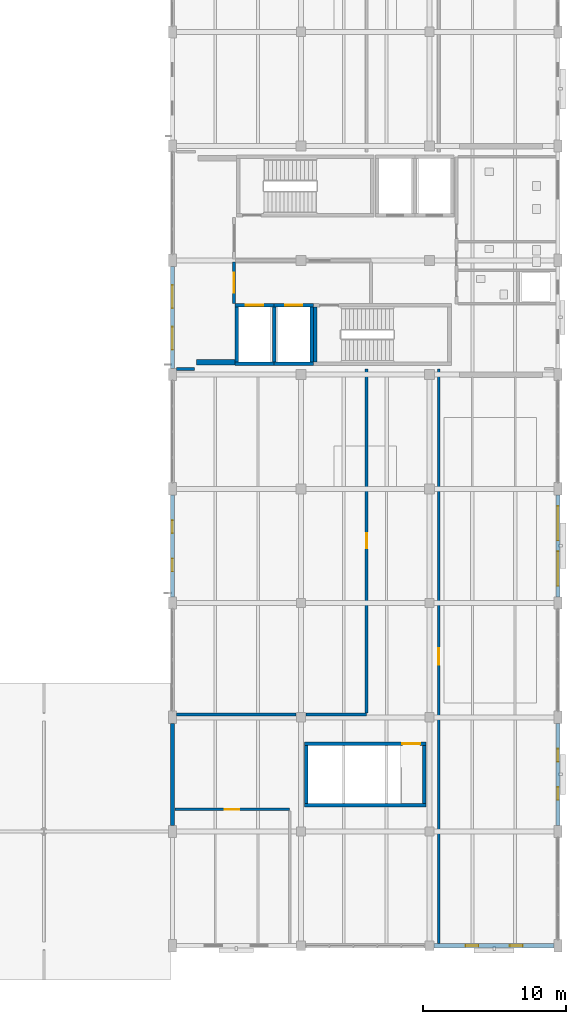
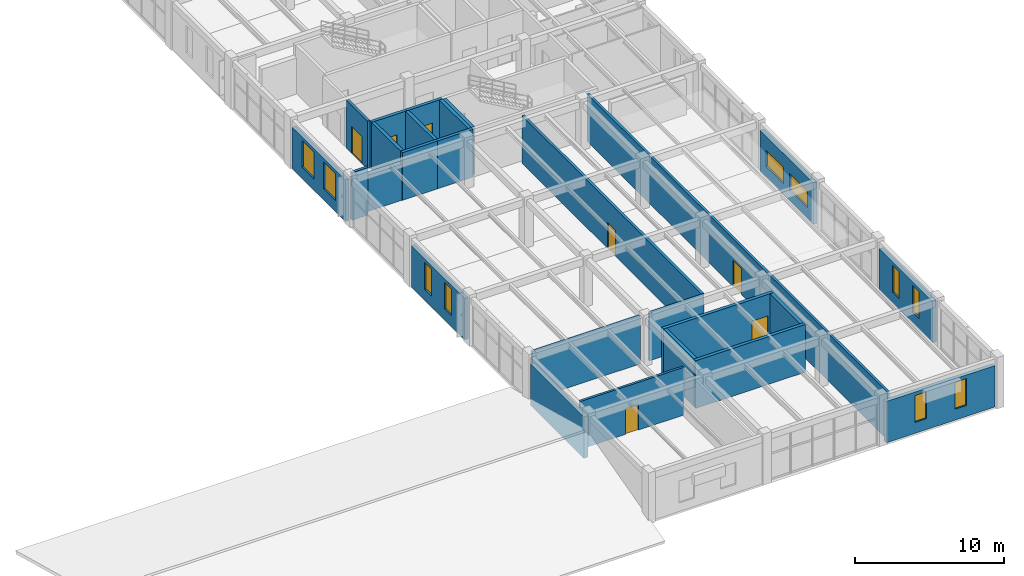
# One storey, part 58 of 71: 26 walls, 10 windows, 7 doors, 17 openings.
"""IFC4 building model written with IfcOpenShell, lengths in metres."""

import ifcopenshell
import ifcopenshell.guid

model = None  # the IFC model being written
_history = None  # IfcOwnerHistory: only IFC2X3 demands one
_inside = {}  # id of a spatial element -> (the spatial element, [elements in it])
_under = {}  # id of a project, library or spatial element -> (it, [spatial elements below it])
_declared = {}  # id of a project -> (the project, [libraries it declares])
_typed = {}  # id of a type object -> (the type object, [elements of that type])
_made_of = {}  # id of a material, layer set ... -> (it, [elements and type objects made of it])


def new_model(schema):
    """Start an empty IFC model of exactly this schema.

    Asked for "IFC4X3", IfcOpenShell would pick the latest addendum, in which some entities
    have other attributes; the version numbers below select the first issue.
    IFC2X3 requires an IfcOwnerHistory on every rooted entity: one is made here for all.
    """
    global model, _history
    if schema == "IFC4X3":
        model = ifcopenshell.file(schema_version=(4, 3, 0, 0))
    else:
        model = ifcopenshell.file(schema=schema)
    _inside.clear()
    _under.clear()
    _declared.clear()
    _typed.clear()
    _made_of.clear()
    _history = None
    if model.schema == "IFC2X3":
        org = make("IfcOrganization", Name="unknown")
        user = make(
            "IfcPersonAndOrganization",
            ThePerson=make("IfcPerson", FamilyName="unknown"),
            TheOrganization=org,
        )
        app = make(
            "IfcApplication",
            ApplicationDeveloper=org,
            Version="unknown",
            ApplicationFullName="unknown",
            ApplicationIdentifier="unknown",
        )
        _history = make(
            "IfcOwnerHistory",
            OwningUser=user,
            OwningApplication=app,
            ChangeAction="ADDED",
            CreationDate=0,
        )
    return model


def make(cls, **values):
    """One entity of the class cls with the attributes given. An attribute that is None is left unset."""
    return model.create_entity(
        cls, **{name: value for name, value in values.items() if value is not None}
    )


def rooted(cls, **values):
    """An entity with a GlobalId (a new one), such as an element, a storey or a relation."""
    return make(cls, GlobalId=ifcopenshell.guid.new(), OwnerHistory=_history, **values)


def si_unit(unit_type, name, prefix=None):
    """IfcSIUnit, for example si_unit("LENGTHUNIT", "METRE", prefix="MILLI")."""
    return make("IfcSIUnit", UnitType=unit_type, Prefix=prefix, Name=name)


def derived_unit(unit_type, elements):
    """IfcDerivedUnit: a product of units, each with its exponent."""
    return make(
        "IfcDerivedUnit",
        Elements=[
            make("IfcDerivedUnitElement", Unit=unit, Exponent=power)
            for unit, power in elements
        ],
        UnitType=unit_type,
    )


def assignment(units):
    """IfcUnitAssignment: the units of a project."""
    return None if units is None else make("IfcUnitAssignment", Units=units)


def point(xyz):
    """IfcCartesianPoint."""
    return None if xyz is None else make("IfcCartesianPoint", Coordinates=xyz)


def direction(xyz):
    """IfcDirection."""
    return None if xyz is None else make("IfcDirection", DirectionRatios=xyz)


def frame(location, z_axis=None, x_axis=None):
    """IfcAxis2Placement3D, a coordinate frame: its origin and axes. An axis left out is left unset."""
    return make(
        "IfcAxis2Placement3D",
        Location=point(location),
        Axis=direction(z_axis),
        RefDirection=direction(x_axis),
    )


def frame_2d(location, x_axis=None):
    """IfcAxis2Placement2D, a coordinate frame in the plane: its origin and x axis."""
    return make(
        "IfcAxis2Placement2D", Location=point(location), RefDirection=direction(x_axis)
    )


def origin():
    """The frame at (0, 0, 0) with its axes left unset."""
    return frame((0.0, 0.0, 0.0))


def place(relative_to, where):
    """IfcLocalPlacement: puts the frame where relative to a parent placement (None: the world)."""
    return make(
        "IfcLocalPlacement", PlacementRelTo=relative_to, RelativePlacement=where
    )


def context(
    kind, dimensions, precision=None, world=None, true_north=None, identifier=None
):
    """IfcGeometricRepresentationContext, for example the 3D "Model" context."""
    return make(
        "IfcGeometricRepresentationContext",
        ContextIdentifier=identifier,
        ContextType=kind,
        CoordinateSpaceDimension=dimensions,
        Precision=precision,
        WorldCoordinateSystem=world,
        TrueNorth=true_north,
    )


def subcontext(parent, identifier, kind, view, scale=None):
    """IfcGeometricRepresentationSubContext, for example "Body" below "Model"."""
    return make(
        "IfcGeometricRepresentationSubContext",
        ContextIdentifier=identifier,
        ContextType=kind,
        ParentContext=parent,
        TargetScale=scale,
        TargetView=view,
    )


def project(units=None, contexts=None):
    """IfcProject with its units and contexts."""
    return rooted(
        "IfcProject",
        Name="project",
        RepresentationContexts=contexts,
        UnitsInContext=assignment(units),
    )


def spatial(cls, under=None, at=None, **own):
    """A site, building, storey or space (cls), placed at a placement, below another one or the project."""
    s = rooted(cls, ObjectPlacement=at, **own)
    if under is not None:
        _under.setdefault(under.id(), (under, []))[1].append(s)
    return s


def profile(cls, at=None, kind="AREA", **sizes):
    """A parametric profile (cls). Its sizes go by their IFC names, for example OverallWidth=200.0."""
    return make(cls, ProfileType=kind, Position=at, **sizes)


def rectangle(**sizes):
    """IfcRectangleProfileDef."""
    return profile("IfcRectangleProfileDef", **sizes)


def extrude(swept, where, along, depth):
    """IfcExtrudedAreaSolid: the profile swept, set in the frame where, extruded along a direction by depth."""
    return make(
        "IfcExtrudedAreaSolid",
        SweptArea=swept,
        Position=where,
        ExtrudedDirection=direction(along),
        Depth=depth,
    )


def shape(context_of_items, identifier, shape_type, items):
    """IfcShapeRepresentation: the items that make up one representation, for example the "Body"."""
    return make(
        "IfcShapeRepresentation",
        ContextOfItems=context_of_items,
        RepresentationIdentifier=identifier,
        RepresentationType=shape_type,
        Items=items,
    )


def material(Name=None, Category=None):
    """IfcMaterial."""
    return make("IfcMaterial", Name=Name, Category=Category)


def layer(
    of_material, thickness, ventilated=None, Name=None, Category=None, Priority=None
):
    """IfcMaterialLayer: one layer of a wall or slab, of a material (None: an air gap)."""
    return make(
        "IfcMaterialLayer",
        Material=of_material,
        LayerThickness=thickness,
        IsVentilated=ventilated,
        Name=Name,
        Category=Category,
        Priority=Priority,
    )


def layer_set(layers, Name=None):
    """IfcMaterialLayerSet."""
    return make("IfcMaterialLayerSet", MaterialLayers=layers, LayerSetName=Name)


def made_of(thing, what):
    """Note that an element or type object is made of a material, layer set ...; save() writes the relation."""
    if what is not None:
        _made_of.setdefault(what.id(), (what, []))[1].append(thing)
    return thing


def type_object(cls, material=None, **own):
    """A type object (cls), such as IfcWallType, which elements share."""
    return made_of(rooted(cls, **own), material)


def element(
    cls,
    number,
    at=None,
    inside=None,
    cuts=None,
    type_object=None,
    material=None,
    context=None,
    identifier="Body",
    shape_type=None,
    held_by="IfcProductDefinitionShape",
    body=None,
    shapes=None,
    **own,
):
    """One element of the class cls, such as IfcWall. Its Tag is "e" and its number.

    at: its placement. inside: the storey or other place that contains it. cuts: it is an
    opening in that element (IfcRelVoidsElement). A single representation is given by context,
    identifier, shape_type and body (its items); several are given by shapes. held_by: the class
    of the entity that holds the representations. save() writes the other relations.
    """
    e = rooted(cls, Tag="e%d" % number, ObjectPlacement=at, **own)
    if body is not None:
        shapes = [shape(context, identifier, shape_type, body)]
    if shapes is not None:
        e.Representation = make(held_by, Representations=shapes)
    if inside is not None:
        _inside.setdefault(inside.id(), (inside, []))[1].append(e)
    if cuts is not None:
        rooted(
            "IfcRelVoidsElement", RelatingBuildingElement=cuts, RelatedOpeningElement=e
        )
    if type_object is not None:
        _typed.setdefault(type_object.id(), (type_object, []))[1].append(e)
    return made_of(e, material)


def fill(opening, filler):
    """IfcRelFillsElement: the door or window that sits in an opening."""
    return rooted(
        "IfcRelFillsElement",
        RelatingOpeningElement=opening,
        RelatedBuildingElement=filler,
    )


def aggregate(whole, parts):
    """IfcRelAggregates: a whole, such as a stair, and the parts it consists of."""
    return rooted("IfcRelAggregates", RelatingObject=whole, RelatedObjects=parts)


def save(model, path):
    """Write the relations noted so far, then the file.

    IfcRelAggregates (storeys below a building ...), IfcRelContainedInSpatialStructure (elements
    in a storey), IfcRelDefinesByType, IfcRelAssociatesMaterial and IfcRelDeclares: one each for
    every whole, place, type object, material and project.
    """
    for whole, parts in _under.values():
        aggregate(whole, parts)
    for where, things in _inside.values():
        rooted(
            "IfcRelContainedInSpatialStructure",
            RelatedElements=things,
            RelatingStructure=where,
        )
    for kind, things in _typed.values():
        rooted("IfcRelDefinesByType", RelatedObjects=things, RelatingType=kind)
    for what, things in _made_of.values():
        rooted("IfcRelAssociatesMaterial", RelatedObjects=things, RelatingMaterial=what)
    for by, libraries in _declared.values():
        rooted("IfcRelDeclares", RelatingContext=by, RelatedDefinitions=libraries)
    model.write(path)


model = new_model("IFC4")

# Units and contexts
model_context = context("Model", 3, precision=1e-05, world=origin(), true_north=direction((0.0, 1.0)))
body_context = subcontext(model_context, "Body", "Model", "MODEL_VIEW")
ifc_project = project(units=[si_unit("LENGTHUNIT", "METRE"), si_unit("AREAUNIT", "SQUARE_METRE"), si_unit("VOLUMEUNIT", "CUBIC_METRE"), si_unit("PLANEANGLEUNIT", "RADIAN"), si_unit("MASSUNIT", "GRAM", prefix="KILO"), derived_unit("THERMALTRANSMITTANCEUNIT", [(si_unit("MASSUNIT", "GRAM", prefix="KILO"), 1), (si_unit("TIMEUNIT", "SECOND"), -3), (si_unit("THERMODYNAMICTEMPERATUREUNIT", "KELVIN"), -1)])], contexts=[model_context])

# Site, building, storey
site_placement = place(None, origin())
site = spatial("IfcSite", under=ifc_project, at=site_placement, CompositionType="ELEMENT")
building_placement = place(site_placement, origin())
building = spatial("IfcBuilding", under=site, at=building_placement, Name="Zhenchuan Archway Interchange", CompositionType="ELEMENT")
storey_placement = place(building_placement, frame((0.0, 0.0, 18.60009765625)))
storey = spatial("IfcBuildingStorey", under=building, at=storey_placement, Name="L04", CompositionType="ELEMENT", Elevation=18.60009765625)

# Wall, openings, windows
ifc_material_1 = material(Name="Terracotta Masonry", Category="masonry")
ifc_layer_1 = layer(ifc_material_1, 0.300048828125)
ifc_layer_set_1 = layer_set([ifc_layer_1], Name="Terracotta Masonry")
wall_type_1 = type_object("IfcWallType", Name="EW_TERRA_300", PredefinedType="STANDARD", material=ifc_layer_set_1)
wall_1_placement = place(storey_placement, frame((170.72705078125, 8.0, 0.0), z_axis=(0.0, 0.0, 1.0), x_axis=(-1.0, 0.0, 0.0)))
wall_1 = element("IfcWall", 1, at=wall_1_placement, inside=storey, type_object=wall_type_1, Name="Exterior wall L04-001", PredefinedType="STANDARD", context=body_context, shape_type="SweptSolid", body=[
    extrude(rectangle(XDim=8.404052734375, YDim=0.300048828125, at=frame_2d((4.2021484375, 0.0))), origin(), (0.0, 0.0, 1.0), 3.389892578125),
])
opening_1_placement = place(wall_1_placement, frame((2.201416015625, 0.0, 0.89990234375)))
opening_1 = element("IfcOpeningElement", 2, at=opening_1_placement, cuts=wall_1, Name="Opening W-12", PredefinedType="OPENING", context=body_context, shape_type="SweptSolid", body=[
    extrude(rectangle(XDim=0.89990234375, YDim=2.199951171875, at=frame_2d((0.449951171875, 1.10009765625))), frame((0.0, 0.162109375, 0.0), z_axis=(0.0, -1.0, 0.0), x_axis=(1.0, 0.0, 0.0)), (0.0, 0.0, 1.0), 0.323974609375),
])
opening_2_placement = place(wall_1_placement, frame((5.302734375, 0.0, 0.89990234375)))
opening_2 = element("IfcOpeningElement", 3, at=opening_2_placement, cuts=wall_1, Name="Opening W-12", PredefinedType="OPENING", context=body_context, shape_type="SweptSolid", body=[
    extrude(rectangle(XDim=0.89990234375, YDim=2.199951171875, at=frame_2d((0.449951171875, 1.10009765625))), frame((0.0, 0.162109375, 0.0), z_axis=(0.0, -1.0, 0.0), x_axis=(1.0, 0.0, 0.0)), (0.0, 0.0, 1.0), 0.323974609375),
])
ifc_material_2 = material(Name="Double Low-E Insulated Glazing", Category="glass")
window_type_1 = type_object("IfcWindowType", Name="WN_SLOT_900x2200", PartitioningType="SINGLE_PANEL", PredefinedType="WINDOW", material=ifc_material_2)
window_1_placement = place(opening_1_placement, origin())
window_1 = element("IfcWindow", 4, at=window_1_placement, inside=storey, type_object=window_type_1, Name="Window L04-0310", OverallHeight=2.199951171875, OverallWidth=0.89990234375, PartitioningType="SINGLE_PANEL", PredefinedType="WINDOW", context=body_context, shape_type="SweptSolid", body=[
    extrude(rectangle(XDim=0.89990234375, YDim=2.199951171875, at=frame_2d((0.449951171875, 1.10009765625))), frame((0.0, 0.030029296875, 0.0), z_axis=(0.0, -1.0, 0.0), x_axis=(1.0, 0.0, 0.0)), (0.0, 0.0, 1.0), 0.06005859375),
])
fill(opening_1, window_1)
window_2_placement = place(opening_2_placement, origin())
window_2 = element("IfcWindow", 5, at=window_2_placement, inside=storey, type_object=window_type_1, Name="Window L04-0311", OverallHeight=2.199951171875, OverallWidth=0.89990234375, PartitioningType="SINGLE_PANEL", PredefinedType="WINDOW", context=body_context, shape_type="SweptSolid", body=[
    extrude(rectangle(XDim=0.89990234375, YDim=2.199951171875, at=frame_2d((0.449951171875, 1.10009765625))), frame((0.0, 0.030029296875, 0.0), z_axis=(0.0, -1.0, 0.0), x_axis=(1.0, 0.0, 0.0)), (0.0, 0.0, 1.0), 0.06005859375),
])
fill(opening_2, window_2)

# Wall
wall_2_placement = place(storey_placement, frame((144.0, 16.423095703125, 0.0), z_axis=(0.0, 0.0, 1.0), x_axis=(0.0, 1.0, 0.0)))
element("IfcWall", 6, at=wall_2_placement, inside=storey, type_object=wall_type_1, Name="Exterior wall L04-005", PredefinedType="STANDARD", context=body_context, shape_type="SweptSolid", body=[
    extrude(rectangle(XDim=7.15380859375, YDim=0.300048828125, at=frame_2d((3.576904296875, 0.0))), origin(), (0.0, 0.0, 1.0), 3.389892578125),
])

# Wall, openings, windows
wall_3_placement = place(storey_placement, frame((144.0, 32.423095703125, 0.0), z_axis=(0.0, 0.0, 1.0), x_axis=(0.0, 1.0, 0.0)))
wall_3 = element("IfcWall", 7, at=wall_3_placement, inside=storey, type_object=wall_type_1, Name="Exterior wall L04-007", PredefinedType="STANDARD", context=body_context, shape_type="SweptSolid", body=[
    extrude(rectangle(XDim=7.15380859375, YDim=0.300048828125, at=frame_2d((3.576904296875, 0.0))), origin(), (0.0, 0.0, 1.0), 3.389892578125),
])
opening_3_placement = place(wall_3_placement, frame((1.78466796875, 0.0, 0.89990234375)))
opening_3 = element("IfcOpeningElement", 8, at=opening_3_placement, cuts=wall_3, Name="Opening W-12", PredefinedType="OPENING", context=body_context, shape_type="SweptSolid", body=[
    extrude(rectangle(XDim=0.89990234375, YDim=2.199951171875, at=frame_2d((0.449951171875, 1.10009765625))), frame((0.0, 0.162109375, 0.0), z_axis=(0.0, -1.0, 0.0), x_axis=(1.0, 0.0, 0.0)), (0.0, 0.0, 1.0), 0.323974609375),
])
opening_4_placement = place(wall_3_placement, frame((4.46923828125, 0.0, 0.89990234375)))
opening_4 = element("IfcOpeningElement", 9, at=opening_4_placement, cuts=wall_3, Name="Opening W-12", PredefinedType="OPENING", context=body_context, shape_type="SweptSolid", body=[
    extrude(rectangle(XDim=0.89990234375, YDim=2.199951171875, at=frame_2d((0.449951171875, 1.10009765625))), frame((0.0, 0.162109375, 0.0), z_axis=(0.0, -1.0, 0.0), x_axis=(1.0, 0.0, 0.0)), (0.0, 0.0, 1.0), 0.323974609375),
])
window_3_placement = place(opening_3_placement, origin())
window_3 = element("IfcWindow", 10, at=window_3_placement, inside=storey, type_object=window_type_1, Name="Window L04-0314", OverallHeight=2.199951171875, OverallWidth=0.89990234375, PartitioningType="SINGLE_PANEL", PredefinedType="WINDOW", context=body_context, shape_type="SweptSolid", body=[
    extrude(rectangle(XDim=0.89990234375, YDim=2.199951171875, at=frame_2d((0.449951171875, 1.10009765625))), frame((0.0, 0.030029296875, 0.0), z_axis=(0.0, -1.0, 0.0), x_axis=(1.0, 0.0, 0.0)), (0.0, 0.0, 1.0), 0.06005859375),
])
fill(opening_3, window_3)
window_4_placement = place(opening_4_placement, origin())
window_4 = element("IfcWindow", 11, at=window_4_placement, inside=storey, type_object=window_type_1, Name="Window L04-0315", OverallHeight=2.199951171875, OverallWidth=0.89990234375, PartitioningType="SINGLE_PANEL", PredefinedType="WINDOW", context=body_context, shape_type="SweptSolid", body=[
    extrude(rectangle(XDim=0.89990234375, YDim=2.199951171875, at=frame_2d((0.449951171875, 1.10009765625))), frame((0.0, 0.030029296875, 0.0), z_axis=(0.0, -1.0, 0.0), x_axis=(1.0, 0.0, 0.0)), (0.0, 0.0, 1.0), 0.06005859375),
])
fill(opening_4, window_4)

wall_4_placement = place(storey_placement, frame((144.0, 48.423095703125, 0.0), z_axis=(0.0, 0.0, 1.0), x_axis=(0.0, 1.0, 0.0)))
wall_4 = element("IfcWall", 12, at=wall_4_placement, inside=storey, type_object=wall_type_1, Name="Exterior wall L04-009", PredefinedType="STANDARD", context=body_context, shape_type="SweptSolid", body=[
    extrude(rectangle(XDim=7.15380859375, YDim=0.300048828125, at=frame_2d((3.576904296875, 0.0))), origin(), (0.0, 0.0, 1.0), 3.389892578125),
])
opening_5_placement = place(wall_4_placement, frame((1.318115234375, 0.0, 0.89990234375)))
opening_5 = element("IfcOpeningElement", 13, at=opening_5_placement, cuts=wall_4, Name="Opening W-04", PredefinedType="OPENING", context=body_context, shape_type="SweptSolid", body=[
    extrude(rectangle(XDim=1.60009765625, YDim=2.199951171875, at=frame_2d((0.800048828125, 1.10009765625))), frame((0.0, 0.162109375, 0.0), z_axis=(0.0, -1.0, 0.0), x_axis=(1.0, 0.0, 0.0)), (0.0, 0.0, 1.0), 0.323974609375),
])
opening_6_placement = place(wall_4_placement, frame((4.236083984375, 0.0, 0.89990234375)))
opening_6 = element("IfcOpeningElement", 14, at=opening_6_placement, cuts=wall_4, Name="Opening W-04", PredefinedType="OPENING", context=body_context, shape_type="SweptSolid", body=[
    extrude(rectangle(XDim=1.60009765625, YDim=2.199951171875, at=frame_2d((0.800048828125, 1.10009765625))), frame((0.0, 0.162109375, 0.0), z_axis=(0.0, -1.0, 0.0), x_axis=(1.0, 0.0, 0.0)), (0.0, 0.0, 1.0), 0.323974609375),
])
window_type_2 = type_object("IfcWindowType", Name="WN_PUNCH_1600x2200", PartitioningType="SINGLE_PANEL", PredefinedType="WINDOW", material=ifc_material_2)
window_5_placement = place(opening_5_placement, origin())
window_5 = element("IfcWindow", 15, at=window_5_placement, inside=storey, type_object=window_type_2, Name="Window L04-0316", OverallHeight=2.199951171875, OverallWidth=1.60009765625, PartitioningType="SINGLE_PANEL", PredefinedType="WINDOW", context=body_context, shape_type="SweptSolid", body=[
    extrude(rectangle(XDim=1.60009765625, YDim=2.199951171875, at=frame_2d((0.800048828125, 1.10009765625))), frame((0.0, 0.030029296875, 0.0), z_axis=(0.0, -1.0, 0.0), x_axis=(1.0, 0.0, 0.0)), (0.0, 0.0, 1.0), 0.06005859375),
])
fill(opening_5, window_5)
window_6_placement = place(opening_6_placement, origin())
window_6 = element("IfcWindow", 16, at=window_6_placement, inside=storey, type_object=window_type_2, Name="Window L04-0317", OverallHeight=2.199951171875, OverallWidth=1.60009765625, PartitioningType="SINGLE_PANEL", PredefinedType="WINDOW", context=body_context, shape_type="SweptSolid", body=[
    extrude(rectangle(XDim=1.60009765625, YDim=2.199951171875, at=frame_2d((0.800048828125, 1.10009765625))), frame((0.0, 0.030029296875, 0.0), z_axis=(0.0, -1.0, 0.0), x_axis=(1.0, 0.0, 0.0)), (0.0, 0.0, 1.0), 0.06005859375),
])
fill(opening_6, window_6)

wall_5_placement = place(storey_placement, frame((171.0, 39.576904296875, 0.0), z_axis=(0.0, 0.0, 1.0), x_axis=(0.0, -1.0, 0.0)))
wall_5 = element("IfcWall", 17, at=wall_5_placement, inside=storey, type_object=wall_type_1, Name="Exterior wall L04-027", PredefinedType="STANDARD", context=body_context, shape_type="SweptSolid", body=[
    extrude(rectangle(XDim=7.15380859375, YDim=0.300048828125, at=frame_2d((3.576904296875, 0.0))), origin(), (0.0, 0.0, 1.0), 3.389892578125),
])
opening_7_placement = place(wall_5_placement, frame((0.78466796875, 0.0, 0.89990234375)))
opening_7 = element("IfcOpeningElement", 18, at=opening_7_placement, cuts=wall_5, Name="Opening W-11", PredefinedType="OPENING", context=body_context, shape_type="SweptSolid", body=[
    extrude(rectangle(XDim=2.39990234375, YDim=1.35009765625, at=frame_2d((1.199951171875, 0.675048828125))), frame((0.0, 0.162109375, 0.0), z_axis=(0.0, -1.0, 0.0), x_axis=(1.0, 0.0, 0.0)), (0.0, 0.0, 1.0), 0.323974609375),
])
opening_8_placement = place(wall_5_placement, frame((3.96923828125, 0.0, 0.89990234375)))
opening_8 = element("IfcOpeningElement", 19, at=opening_8_placement, cuts=wall_5, Name="Opening W-11", PredefinedType="OPENING", context=body_context, shape_type="SweptSolid", body=[
    extrude(rectangle(XDim=2.39990234375, YDim=1.35009765625, at=frame_2d((1.199951171875, 0.675048828125))), frame((0.0, 0.162109375, 0.0), z_axis=(0.0, -1.0, 0.0), x_axis=(1.0, 0.0, 0.0)), (0.0, 0.0, 1.0), 0.323974609375),
])
window_type_3 = type_object("IfcWindowType", Name="WN_CLER_2400x1350", PartitioningType="SINGLE_PANEL", PredefinedType="WINDOW", material=ifc_material_2)
window_7_placement = place(opening_7_placement, origin())
window_7 = element("IfcWindow", 20, at=window_7_placement, inside=storey, type_object=window_type_3, Name="Window L04-0333", OverallHeight=1.35009765625, OverallWidth=2.39990234375, PartitioningType="SINGLE_PANEL", PredefinedType="WINDOW", context=body_context, shape_type="SweptSolid", body=[
    extrude(rectangle(XDim=2.39990234375, YDim=1.35009765625, at=frame_2d((1.199951171875, 0.675048828125))), frame((0.0, 0.030029296875, 0.0), z_axis=(0.0, -1.0, 0.0), x_axis=(1.0, 0.0, 0.0)), (0.0, 0.0, 1.0), 0.06005859375),
])
fill(opening_7, window_7)
window_8_placement = place(opening_8_placement, origin())
window_8 = element("IfcWindow", 21, at=window_8_placement, inside=storey, type_object=window_type_3, Name="Window L04-0334", OverallHeight=1.35009765625, OverallWidth=2.39990234375, PartitioningType="SINGLE_PANEL", PredefinedType="WINDOW", context=body_context, shape_type="SweptSolid", body=[
    extrude(rectangle(XDim=2.39990234375, YDim=1.35009765625, at=frame_2d((1.199951171875, 0.675048828125))), frame((0.0, 0.030029296875, 0.0), z_axis=(0.0, -1.0, 0.0), x_axis=(1.0, 0.0, 0.0)), (0.0, 0.0, 1.0), 0.06005859375),
])
fill(opening_8, window_8)

wall_6_placement = place(storey_placement, frame((171.0, 23.576904296875, 0.0), z_axis=(0.0, 0.0, 1.0), x_axis=(0.0, -1.0, 0.0)))
wall_6 = element("IfcWall", 22, at=wall_6_placement, inside=storey, type_object=wall_type_1, Name="Exterior wall L04-029", PredefinedType="STANDARD", context=body_context, shape_type="SweptSolid", body=[
    extrude(rectangle(XDim=7.15380859375, YDim=0.300048828125, at=frame_2d((3.576904296875, 0.0))), origin(), (0.0, 0.0, 1.0), 3.389892578125),
])
opening_9_placement = place(wall_6_placement, frame((1.78466796875, 0.0, 0.89990234375)))
opening_9 = element("IfcOpeningElement", 23, at=opening_9_placement, cuts=wall_6, Name="Opening W-12", PredefinedType="OPENING", context=body_context, shape_type="SweptSolid", body=[
    extrude(rectangle(XDim=0.89990234375, YDim=2.199951171875, at=frame_2d((0.449951171875, 1.10009765625))), frame((0.0, 0.162109375, 0.0), z_axis=(0.0, -1.0, 0.0), x_axis=(1.0, 0.0, 0.0)), (0.0, 0.0, 1.0), 0.323974609375),
])
opening_10_placement = place(wall_6_placement, frame((4.46923828125, 0.0, 0.89990234375)))
opening_10 = element("IfcOpeningElement", 24, at=opening_10_placement, cuts=wall_6, Name="Opening W-12", PredefinedType="OPENING", context=body_context, shape_type="SweptSolid", body=[
    extrude(rectangle(XDim=0.89990234375, YDim=2.199951171875, at=frame_2d((0.449951171875, 1.10009765625))), frame((0.0, 0.162109375, 0.0), z_axis=(0.0, -1.0, 0.0), x_axis=(1.0, 0.0, 0.0)), (0.0, 0.0, 1.0), 0.323974609375),
])
window_9_placement = place(opening_9_placement, origin())
window_9 = element("IfcWindow", 25, at=window_9_placement, inside=storey, type_object=window_type_1, Name="Window L04-0335", OverallHeight=2.199951171875, OverallWidth=0.89990234375, PartitioningType="SINGLE_PANEL", PredefinedType="WINDOW", context=body_context, shape_type="SweptSolid", body=[
    extrude(rectangle(XDim=0.89990234375, YDim=2.199951171875, at=frame_2d((0.449951171875, 1.10009765625))), frame((0.0, 0.030029296875, 0.0), z_axis=(0.0, -1.0, 0.0), x_axis=(1.0, 0.0, 0.0)), (0.0, 0.0, 1.0), 0.06005859375),
])
fill(opening_9, window_9)
window_10_placement = place(opening_10_placement, origin())
window_10 = element("IfcWindow", 26, at=window_10_placement, inside=storey, type_object=window_type_1, Name="Window L04-0336", OverallHeight=2.199951171875, OverallWidth=0.89990234375, PartitioningType="SINGLE_PANEL", PredefinedType="WINDOW", context=body_context, shape_type="SweptSolid", body=[
    extrude(rectangle(XDim=0.89990234375, YDim=2.199951171875, at=frame_2d((0.449951171875, 1.10009765625))), frame((0.0, 0.030029296875, 0.0), z_axis=(0.0, -1.0, 0.0), x_axis=(1.0, 0.0, 0.0)), (0.0, 0.0, 1.0), 0.06005859375),
])
fill(opening_10, window_10)

# Wall
ifc_material_3 = material(Name="Concrete C50", Category="concrete")
ifc_layer_2 = layer(ifc_material_3, 0.3798828125)
ifc_layer_set_2 = layer_set([ifc_layer_2], Name="Concrete C50")
wall_type_2 = type_object("IfcWallType", Name="WL_CORE_380", PredefinedType="SHEAR", material=ifc_layer_set_2)
wall_7_placement = place(storey_placement, frame((145.679931640625, 48.85498046875, 0.0), z_axis=(0.0, 0.0, 1.0), x_axis=(1.0, 0.0, 0.0)))
element("IfcWall", 27, at=wall_7_placement, inside=storey, type_object=wall_type_2, Name="Operations lateral shear wall W-S (L04)", PredefinedType="SHEAR", context=body_context, shape_type="SweptSolid", body=[
    extrude(rectangle(XDim=2.699951171875, YDim=0.3798828125, at=frame_2d((1.35009765625, 0.0))), origin(), (0.0, 0.0, 1.0), 2.9599609375),
])

# Wall, opening, door
ifc_material_4 = material(Name="Autoclaved Aerated Concrete Block", Category="concrete")
ifc_layer_3 = layer(ifc_material_4, 0.199951171875)
ifc_layer_set_3 = layer_set([ifc_layer_3], Name="Autoclaved Aerated Concrete Block")
wall_type_3 = type_object("IfcWallType", Name="WL_FIRE_200", PredefinedType="STANDARD", material=ifc_layer_set_3)
wall_8_placement = place(storey_placement, frame((148.300048828125, 52.989990234375, 0.0), z_axis=(0.0, 0.0, 1.0), x_axis=(0.0, 1.0, 0.0)))
wall_8 = element("IfcWall", 28, at=wall_8_placement, inside=storey, type_object=wall_type_3, Name="Firefighting lift lobby west fire wall (L04)", PredefinedType="STANDARD", context=body_context, shape_type="SweptSolid", body=[
    extrude(rectangle(XDim=2.880126953125, YDim=0.199951171875, at=frame_2d((1.43994140625, 0.0))), origin(), (0.0, 0.0, 1.0), 3.909912109375),
])
opening_11_placement = place(wall_8_placement, frame((0.75, 0.0, 0.0)))
opening_11 = element("IfcOpeningElement", 29, at=opening_11_placement, cuts=wall_8, Name="Opening FD-04", PredefinedType="OPENING", context=body_context, shape_type="SweptSolid", body=[
    extrude(rectangle(XDim=1.39990234375, YDim=2.199951171875, at=frame_2d((0.699951171875, 1.10009765625))), frame((0.0, 0.11181640625, 0.0), z_axis=(0.0, -1.0, 0.0), x_axis=(1.0, 0.0, 0.0)), (0.0, 0.0, 1.0), 0.223876953125),
])
ifc_material_5 = material(Name="Painted Galvanised Steel", Category="steel")
door_type_1 = type_object("IfcDoorType", Name="DR_LOB_FD60", OperationType="DOUBLE_DOOR_SINGLE_SWING", PredefinedType="DOOR", material=ifc_material_5)
door_1_placement = place(opening_11_placement, origin())
door_1 = element("IfcDoor", 30, at=door_1_placement, inside=storey, type_object=door_type_1, Name="Firefighting lift lobby corridor fire door (L04)", OperationType="DOUBLE_DOOR_SINGLE_SWING", OverallHeight=2.199951171875, OverallWidth=1.39990234375, PredefinedType="DOOR", context=body_context, shape_type="SweptSolid", body=[
    extrude(rectangle(XDim=1.39990234375, YDim=2.199951171875, at=frame_2d((0.699951171875, 1.10009765625))), frame((0.0, 0.02490234375, 0.0), z_axis=(0.0, -1.0, 0.0), x_axis=(1.0, 0.0, 0.0)), (0.0, 0.0, 1.0), 0.050048828125),
])
fill(opening_11, door_1)

# Walls
wall_9_placement = place(storey_placement, frame((144.300048828125, 24.199951171875, 0.0), z_axis=(0.0, 0.0, 1.0), x_axis=(1.0, 0.0, 0.0)))
element("IfcWall", 31, at=wall_9_placement, inside=storey, type_object=wall_type_3, Name="Interlocking Signalling Equipment Hall S partition (L04)", PredefinedType="STANDARD", context=body_context, shape_type="SweptSolid", body=[
    extrude(rectangle(XDim=8.349853515625, YDim=0.199951171875, at=frame_2d((4.1748046875, 0.0))), origin(), (0.0, 0.0, 1.0), 3.909912109375),
])
wall_10_placement = place(storey_placement, frame((153.35009765625, 24.199951171875, 0.0), z_axis=(0.0, 0.0, 1.0), x_axis=(1.0, 0.0, 0.0)))
element("IfcWall", 32, at=wall_10_placement, inside=storey, type_object=wall_type_3, Name="Interlocking Signalling Equipment Hall S partition (L04)", PredefinedType="STANDARD", context=body_context, shape_type="SweptSolid", body=[
    extrude(rectangle(XDim=4.25, YDim=0.199951171875, at=frame_2d((2.125, 0.0))), origin(), (0.0, 0.0, 1.0), 3.909912109375),
])
wall_11_placement = place(storey_placement, frame((144.300048828125, 48.39990234375, 0.0), z_axis=(0.0, 0.0, 1.0), x_axis=(1.0, 0.0, 0.0)))
element("IfcWall", 33, at=wall_11_placement, inside=storey, type_object=wall_type_3, Name="Interlocking Signalling Equipment Hall N partition (L04)", PredefinedType="STANDARD", context=body_context, shape_type="SweptSolid", body=[
    extrude(rectangle(XDim=1.22998046875, YDim=0.199951171875, at=frame_2d((0.614990234375, 0.0))), origin(), (0.0, 0.0, 1.0), 3.909912109375),
])

# Wall, opening, door
wall_12_placement = place(storey_placement, frame((157.60009765625, 24.31005859375, 0.0), z_axis=(0.0, 0.0, 1.0), x_axis=(0.0, 1.0, 0.0)))
wall_12 = element("IfcWall", 34, at=wall_12_placement, inside=storey, type_object=wall_type_3, Name="Interlocking Signalling Equipment Hall E partition (L04)", PredefinedType="STANDARD", context=body_context, shape_type="SweptSolid", body=[
    extrude(rectangle(XDim=24.08984375, YDim=0.199951171875, at=frame_2d((12.044921875, 0.0))), origin(), (0.0, 0.0, 1.0), 3.909912109375),
])
opening_12_placement = place(wall_12_placement, frame((11.52001953125, 0.0, 0.0)))
opening_12 = element("IfcOpeningElement", 35, at=opening_12_placement, cuts=wall_12, Name="Opening FD-03", PredefinedType="OPENING", context=body_context, shape_type="SweptSolid", body=[
    extrude(rectangle(XDim=1.050048828125, YDim=2.14990234375, at=frame_2d((0.52490234375, 1.074951171875))), frame((0.0, 0.11181640625, 0.0), z_axis=(0.0, -1.0, 0.0), x_axis=(1.0, 0.0, 0.0)), (0.0, 0.0, 1.0), 0.223876953125),
])
door_type_2 = type_object("IfcDoorType", Name="DR_PLANT_FD60_S", OperationType="NOTDEFINED", PredefinedType="DOOR", material=ifc_material_5)
door_2_placement = place(opening_12_placement, origin())
door_2 = element("IfcDoor", 36, at=door_2_placement, inside=storey, type_object=door_type_2, Name="Interlocking Signalling Equipment Hall door (L04)", OperationType="SINGLE_SWING_RIGHT", OverallHeight=2.14990234375, OverallWidth=1.050048828125, PredefinedType="DOOR", context=body_context, shape_type="SweptSolid", body=[
    extrude(rectangle(XDim=1.050048828125, YDim=2.14990234375, at=frame_2d((0.52490234375, 1.074951171875))), frame((0.0, 0.02490234375, 0.0), z_axis=(0.0, -1.0, 0.0), x_axis=(1.0, 0.0, 0.0)), (0.0, 0.0, 1.0), 0.050048828125),
])
fill(opening_12, door_2)

# Wall
ifc_material_6 = material(Name="Concrete C40", Category="concrete")
ifc_layer_4 = layer(ifc_material_6, 0.239990234375)
ifc_layer_set_4 = layer_set([ifc_layer_4], Name="Concrete C40")
wall_type_4 = type_object("IfcWallType", Name="WL_LIFT_240", PredefinedType="SHEAR", material=ifc_layer_set_4)
wall_13_placement = place(storey_placement, frame((148.3798828125, 48.75, 0.0), z_axis=(0.0, 0.0, 1.0), x_axis=(1.0, 0.0, 0.0)))
element("IfcWall", 37, at=wall_13_placement, inside=storey, type_object=wall_type_4, Name="Lift LF-08 south shaft wall (L04)", PredefinedType="SHEAR", context=body_context, shape_type="SweptSolid", body=[
    extrude(rectangle(XDim=2.740234375, YDim=0.239990234375, at=frame_2d((1.3701171875, 0.0))), origin(), (0.0, 0.0, 1.0), 3.909912109375),
])

# Wall, opening, door
wall_14_placement = place(storey_placement, frame((151.1201171875, 52.85009765625, 0.0), z_axis=(0.0, 0.0, 1.0), x_axis=(-1.0, 0.0, 0.0)))
wall_14 = element("IfcWall", 38, at=wall_14_placement, inside=storey, type_object=wall_type_4, Name="Lift LF-08 north shaft wall (L04)", PredefinedType="SHEAR", context=body_context, shape_type="SweptSolid", body=[
    extrude(rectangle(XDim=2.740234375, YDim=0.239990234375, at=frame_2d((1.3701171875, 0.0))), origin(), (0.0, 0.0, 1.0), 3.909912109375),
])
opening_13_placement = place(wall_14_placement, frame((0.77001953125, 0.0, 0.0)))
opening_13 = element("IfcOpeningElement", 39, at=opening_13_placement, cuts=wall_14, Name="Opening LD-02", PredefinedType="OPENING", context=body_context, shape_type="SweptSolid", body=[
    extrude(rectangle(XDim=1.199951171875, YDim=2.199951171875, at=frame_2d((0.60009765625, 1.10009765625))), frame((0.0, 0.1318359375, 0.0), z_axis=(0.0, -1.0, 0.0), x_axis=(1.0, 0.0, 0.0)), (0.0, 0.0, 1.0), 0.263916015625),
])
ifc_material_7 = material(Name="Stainless Steel 304", Category="steel")
door_type_3 = type_object("IfcDoorType", Name="DR_LIFT_LD120", OperationType="DOUBLE_DOOR_SLIDING", PredefinedType="DOOR", material=ifc_material_7)
door_3_placement = place(opening_13_placement, origin())
door_3 = element("IfcDoor", 40, at=door_3_placement, inside=storey, type_object=door_type_3, Name="Lift LF-08 landing door (L04)", OperationType="DOUBLE_DOOR_SLIDING", OverallHeight=2.199951171875, OverallWidth=1.199951171875, PredefinedType="DOOR", context=body_context, shape_type="SweptSolid", body=[
    extrude(rectangle(XDim=1.199951171875, YDim=2.199951171875, at=frame_2d((0.60009765625, 1.10009765625))), frame((0.0, 0.02490234375, 0.0), z_axis=(0.0, -1.0, 0.0), x_axis=(1.0, 0.0, 0.0)), (0.0, 0.0, 1.0), 0.050048828125),
])
fill(opening_13, door_3)

# Walls
for number, where, z_axis, x_axis, name in (
    (41, (148.5, 52.72998046875, 0.0), (0.0, 0.0, 1.0), (0.0, -1.0, 0.0), "Lift LF-08 west shaft wall (L04)"),
    (42, (151.1201171875, 48.8701171875, 0.0), (0.0, 0.0, 1.0), (0.0, 1.0, 0.0), "Lift LF-08 east shaft wall (L04)"),
):
    element("IfcWall", number, at=place(storey_placement, frame(where, z_axis=z_axis, x_axis=x_axis)), inside=storey, type_object=wall_type_4, Name=name, PredefinedType="SHEAR", context=body_context, shape_type="SweptSolid", body=[
        extrude(rectangle(XDim=3.85986328125, YDim=0.239990234375, at=frame_2d((1.929931640625, 0.0))), origin(), (0.0, 0.0, 1.0), 3.909912109375),
    ])
wall_15_placement = place(storey_placement, frame((151.1201171875, 48.75, 0.0), z_axis=(0.0, 0.0, 1.0), x_axis=(1.0, 0.0, 0.0)))
element("IfcWall", 43, at=wall_15_placement, inside=storey, type_object=wall_type_4, Name="Lift LF-09 south shaft wall (L04)", PredefinedType="SHEAR", context=body_context, shape_type="SweptSolid", body=[
    extrude(rectangle(XDim=2.739990234375, YDim=0.239990234375, at=frame_2d((1.3701171875, 0.0))), origin(), (0.0, 0.0, 1.0), 3.909912109375),
])

# Wall, opening, door
wall_16_placement = place(storey_placement, frame((153.860107421875, 52.85009765625, 0.0), z_axis=(0.0, 0.0, 1.0), x_axis=(-1.0, 0.0, 0.0)))
wall_16 = element("IfcWall", 44, at=wall_16_placement, inside=storey, type_object=wall_type_4, Name="Lift LF-09 north shaft wall (L04)", PredefinedType="SHEAR", context=body_context, shape_type="SweptSolid", body=[
    extrude(rectangle(XDim=2.739990234375, YDim=0.239990234375, at=frame_2d((1.3701171875, 0.0))), origin(), (0.0, 0.0, 1.0), 3.909912109375),
])
opening_14_placement = place(wall_16_placement, frame((0.77001953125, 0.0, 0.0)))
opening_14 = element("IfcOpeningElement", 45, at=opening_14_placement, cuts=wall_16, Name="Opening LD-02", PredefinedType="OPENING", context=body_context, shape_type="SweptSolid", body=[
    extrude(rectangle(XDim=1.199951171875, YDim=2.199951171875, at=frame_2d((0.60009765625, 1.10009765625))), frame((0.0, 0.1318359375, 0.0), z_axis=(0.0, -1.0, 0.0), x_axis=(1.0, 0.0, 0.0)), (0.0, 0.0, 1.0), 0.263916015625),
])
door_4_placement = place(opening_14_placement, origin())
door_4 = element("IfcDoor", 46, at=door_4_placement, inside=storey, type_object=door_type_3, Name="Lift LF-09 landing door (L04)", OperationType="DOUBLE_DOOR_SLIDING", OverallHeight=2.199951171875, OverallWidth=1.199951171875, PredefinedType="DOOR", context=body_context, shape_type="SweptSolid", body=[
    extrude(rectangle(XDim=1.199951171875, YDim=2.199951171875, at=frame_2d((0.60009765625, 1.10009765625))), frame((0.0, 0.02490234375, 0.0), z_axis=(0.0, -1.0, 0.0), x_axis=(1.0, 0.0, 0.0)), (0.0, 0.0, 1.0), 0.050048828125),
])
fill(opening_14, door_4)

# Wall
wall_17_placement = place(storey_placement, frame((153.739990234375, 48.8701171875, 0.0), z_axis=(0.0, 0.0, 1.0), x_axis=(0.0, 1.0, 0.0)))
element("IfcWall", 47, at=wall_17_placement, inside=storey, type_object=wall_type_4, Name="Lift LF-09 east shaft wall (L04)", PredefinedType="SHEAR", context=body_context, shape_type="SweptSolid", body=[
    extrude(rectangle(XDim=3.85986328125, YDim=0.239990234375, at=frame_2d((1.929931640625, 0.0))), origin(), (0.0, 0.0, 1.0), 3.909912109375),
])

# Wall, opening, door
ifc_material_8 = material(Name="Concrete Block Masonry", Category="masonry")
ifc_layer_5 = layer(ifc_material_8, 0.179931640625)
ifc_layer_set_5 = layer_set([ifc_layer_5], Name="Concrete Block Masonry")
wall_type_5 = type_object("IfcWallType", Name="WL_PART_180", PredefinedType="STANDARD", material=ifc_layer_set_5)
wall_18_placement = place(storey_placement, frame((162.64990234375, 8.1650390625, 0.0), z_axis=(0.0, 0.0, 1.0), x_axis=(0.0, 1.0, 0.0)))
wall_18 = element("IfcWall", 48, at=wall_18_placement, inside=storey, type_object=wall_type_5, Name="Metro Signalling Control Centre W partition (L04)", PredefinedType="STANDARD", context=body_context, shape_type="SweptSolid", body=[
    extrude(rectangle(XDim=40.23486328125, YDim=0.179931640625, at=frame_2d((20.117431640625, 0.0))), origin(), (0.0, 0.0, 1.0), 3.909912109375),
])
opening_15_placement = place(wall_18_placement, frame((19.52490234375, 0.0, 0.0)))
opening_15 = element("IfcOpeningElement", 49, at=opening_15_placement, cuts=wall_18, Name="Opening ID-06", PredefinedType="OPENING", context=body_context, shape_type="SweptSolid", body=[
    extrude(rectangle(XDim=1.14990234375, YDim=2.14990234375, at=frame_2d((0.574951171875, 1.074951171875))), frame((0.0, 0.10205078125, 0.0), z_axis=(0.0, -1.0, 0.0), x_axis=(1.0, 0.0, 0.0)), (0.0, 0.0, 1.0), 0.203857421875),
])
ifc_material_9 = material(Name="Hardwood Timber", Category="wood")
door_type_4 = type_object("IfcDoorType", Name="DR_CTRL_115", OperationType="NOTDEFINED", PredefinedType="DOOR", material=ifc_material_9)
door_5_placement = place(opening_15_placement, origin())
door_5 = element("IfcDoor", 50, at=door_5_placement, inside=storey, type_object=door_type_4, Name="Metro Signalling Control Centre door (L04)", OperationType="SINGLE_SWING_RIGHT", OverallHeight=2.14990234375, OverallWidth=1.14990234375, PredefinedType="DOOR", context=body_context, shape_type="SweptSolid", body=[
    extrude(rectangle(XDim=1.14990234375, YDim=2.14990234375, at=frame_2d((0.574951171875, 1.074951171875))), frame((0.0, 0.02490234375, 0.0), z_axis=(0.0, -1.0, 0.0), x_axis=(1.0, 0.0, 0.0)), (0.0, 0.0, 1.0), 0.050048828125),
])
fill(opening_15, door_5)

wall_19_placement = place(storey_placement, frame((144.1650390625, 17.550048828125, 0.0), z_axis=(0.0, 0.0, 1.0), x_axis=(1.0, 0.0, 0.0)))
wall_19 = element("IfcWall", 51, at=wall_19_placement, inside=storey, type_object=wall_type_5, Name="Signalling Shift Handover Room N partition (L04)", PredefinedType="STANDARD", context=body_context, shape_type="SweptSolid", body=[
    extrude(rectangle(XDim=8.034912109375, YDim=0.179931640625, at=frame_2d((4.017578125, 0.0))), origin(), (0.0, 0.0, 1.0), 3.909912109375),
])
opening_16_placement = place(wall_19_placement, frame((3.5, 0.0, 0.0)))
opening_16 = element("IfcOpeningElement", 52, at=opening_16_placement, cuts=wall_19, Name="Opening ID-02", PredefinedType="OPENING", context=body_context, shape_type="SweptSolid", body=[
    extrude(rectangle(XDim=1.0, YDim=2.10009765625, at=frame_2d((0.5, 1.050048828125))), frame((0.0, 0.10205078125, 0.0), z_axis=(0.0, -1.0, 0.0), x_axis=(1.0, 0.0, 0.0)), (0.0, 0.0, 1.0), 0.203857421875),
])
door_type_5 = type_object("IfcDoorType", Name="DR_OPS_100", OperationType="NOTDEFINED", PredefinedType="DOOR", material=ifc_material_9)
door_6_placement = place(opening_16_placement, origin())
door_6 = element("IfcDoor", 53, at=door_6_placement, inside=storey, type_object=door_type_5, Name="Signalling Shift Handover Room door (L04)", OperationType="SINGLE_SWING_RIGHT", OverallHeight=2.10009765625, OverallWidth=1.0, PredefinedType="DOOR", context=body_context, shape_type="SweptSolid", body=[
    extrude(rectangle(XDim=1.0, YDim=2.10009765625, at=frame_2d((0.5, 1.050048828125))), frame((0.0, 0.02490234375, 0.0), z_axis=(0.0, -1.0, 0.0), x_axis=(1.0, 0.0, 0.0)), (0.0, 0.0, 1.0), 0.050048828125),
])
fill(opening_16, door_6)

# Walls
ifc_layer_6 = layer(ifc_material_6, 0.25)
ifc_layer_set_6 = layer_set([ifc_layer_6], Name="Concrete C40")
wall_type_6 = type_object("IfcWallType", Name="WL_STAIR_250", PredefinedType="SHEAR", material=ifc_layer_set_6)
wall_20_placement = place(storey_placement, frame((154.0, 52.72509765625, 0.0), z_axis=(0.0, 0.0, 1.0), x_axis=(0.0, -1.0, 0.0)))
element("IfcWall", 54, at=wall_20_placement, inside=storey, type_object=wall_type_6, Name="Stair ST-O2 west wall (L04)", PredefinedType="SHEAR", context=body_context, shape_type="SweptSolid", body=[
    extrude(rectangle(XDim=3.85009765625, YDim=0.25, at=frame_2d((1.925048828125, 0.0))), origin(), (0.0, 0.0, 1.0), 3.909912109375),
])
wall_21_placement = place(storey_placement, frame((153.2548828125, 17.85009765625, 0.0), z_axis=(0.0, 0.0, 1.0), x_axis=(1.0, 0.0, 0.0)))
element("IfcWall", 55, at=wall_21_placement, inside=storey, type_object=wall_type_6, Name="Stair ST-O4 south wall (L04)", PredefinedType="SHEAR", context=body_context, shape_type="SweptSolid", body=[
    extrude(rectangle(XDim=8.490234375, YDim=0.25, at=frame_2d((4.2451171875, 0.0))), origin(), (0.0, 0.0, 1.0), 3.909912109375),
])

# Wall, opening, door
wall_22_placement = place(storey_placement, frame((161.7451171875, 22.14990234375, 0.0), z_axis=(0.0, 0.0, 1.0), x_axis=(-1.0, 0.0, 0.0)))
wall_22 = element("IfcWall", 56, at=wall_22_placement, inside=storey, type_object=wall_type_6, Name="Stair ST-O4 north wall (L04)", PredefinedType="SHEAR", context=body_context, shape_type="SweptSolid", body=[
    extrude(rectangle(XDim=8.490234375, YDim=0.25, at=frame_2d((4.2451171875, 0.0))), origin(), (0.0, 0.0, 1.0), 3.909912109375),
])
opening_17_placement = place(wall_22_placement, frame((0.39501953125, 0.0, 0.0)))
opening_17 = element("IfcOpeningElement", 57, at=opening_17_placement, cuts=wall_22, Name="Opening FD-01", PredefinedType="OPENING", context=body_context, shape_type="SweptSolid", body=[
    extrude(rectangle(XDim=1.25, YDim=2.14990234375, at=frame_2d((0.625, 1.074951171875))), frame((0.0, 0.136962890625, 0.0), z_axis=(0.0, -1.0, 0.0), x_axis=(1.0, 0.0, 0.0)), (0.0, 0.0, 1.0), 0.27392578125),
])
door_type_6 = type_object("IfcDoorType", Name="DR_STAIR_FD90", OperationType="NOTDEFINED", PredefinedType="DOOR", material=ifc_material_5)
door_7_placement = place(opening_17_placement, origin())
door_7 = element("IfcDoor", 58, at=door_7_placement, inside=storey, type_object=door_type_6, Name="Stair ST-O4 fire door (L04)", OperationType="SINGLE_SWING_RIGHT", OverallHeight=2.14990234375, OverallWidth=1.25, PredefinedType="DOOR", context=body_context, shape_type="SweptSolid", body=[
    extrude(rectangle(XDim=1.25, YDim=2.14990234375, at=frame_2d((0.625, 1.074951171875))), frame((0.0, 0.02490234375, 0.0), z_axis=(0.0, -1.0, 0.0), x_axis=(1.0, 0.0, 0.0)), (0.0, 0.0, 1.0), 0.050048828125),
])
fill(opening_17, door_7)

# Walls
for number, where, z_axis, x_axis, name in (
    (59, (153.3798828125, 22.02490234375, 0.0), (0.0, 0.0, 1.0), (0.0, -1.0, 0.0), "Stair ST-O4 west wall (L04)"),
    (60, (161.6201171875, 17.97509765625, 0.0), (0.0, 0.0, 1.0), (0.0, 1.0, 0.0), "Stair ST-O4 east wall (L04)"),
):
    element("IfcWall", number, at=place(storey_placement, frame(where, z_axis=z_axis, x_axis=x_axis)), inside=storey, type_object=wall_type_6, Name=name, PredefinedType="SHEAR", context=body_context, shape_type="SweptSolid", body=[
        extrude(rectangle(XDim=4.0498046875, YDim=0.25, at=frame_2d((2.02490234375, 0.0))), origin(), (0.0, 0.0, 1.0), 3.909912109375),
    ])

save(model, "model.ifc")
